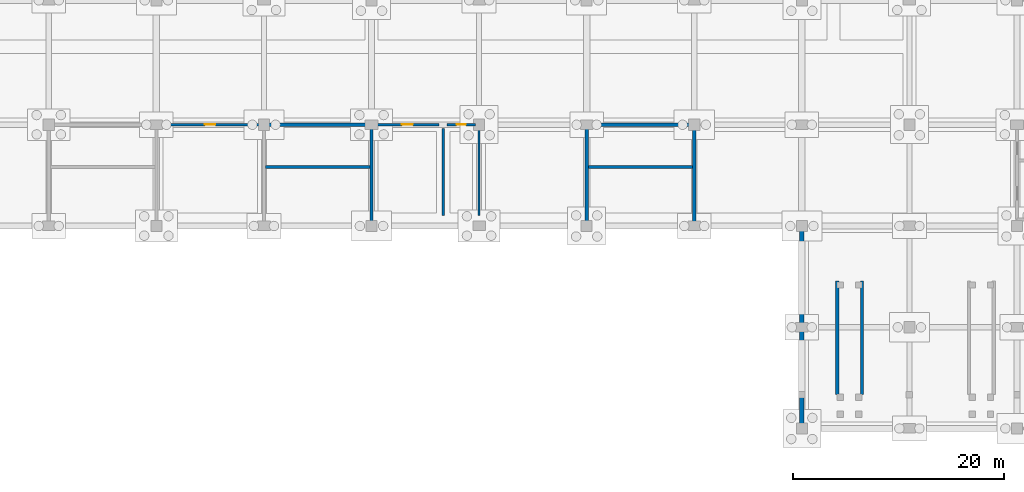
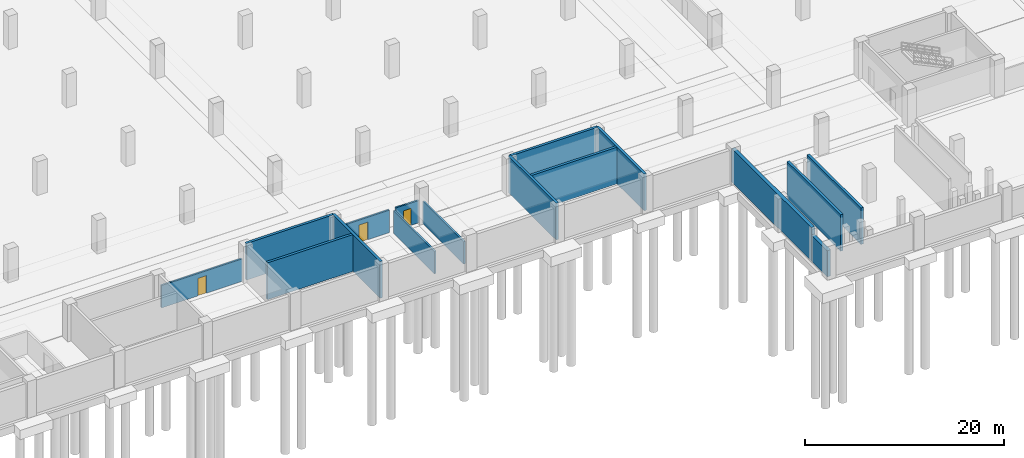
# One storey, part 29 of 52: 16 walls, 3 doors, 3 openings.
"""IFC4 building model written with IfcOpenShell, lengths in metres."""

from ifc_helpers import new_model, si_unit, direction, frame, frame_2d, origin, place, context, subcontext, project, spatial, rectangle, extrude, material, layer, layer_set, type_object, element, fill, save


model = new_model("IFC4")

# Units and contexts
model_context = context("Model", 3, precision=1e-05, world=origin(), true_north=direction((0.0, 1.0)))
body_context = subcontext(model_context, "Body", "Model", "MODEL_VIEW")
ifc_project = project(units=[si_unit("LENGTHUNIT", "METRE"), si_unit("AREAUNIT", "SQUARE_METRE"), si_unit("VOLUMEUNIT", "CUBIC_METRE"), si_unit("PLANEANGLEUNIT", "RADIAN"), si_unit("MASSUNIT", "GRAM", prefix="KILO")], contexts=[model_context])

# Site, building, storey
site_placement = place(None, origin())
site = spatial("IfcSite", under=ifc_project, at=site_placement, CompositionType="ELEMENT")
building_placement = place(site_placement, origin())
building = spatial("IfcBuilding", under=site, at=building_placement, Name="Brelvane Convention Centre", CompositionType="ELEMENT")
storey_placement = place(building_placement, frame((0.0, 0.0, -4.5)))
storey = spatial("IfcBuildingStorey", under=building, at=storey_placement, Name="B1", CompositionType="ELEMENT", Elevation=-4.5)

# Wall, opening, door
ifc_material_1 = material(Name="Fire-Rated Acoustic Gypsum Partition Board Grade A")
ifc_layer_1 = layer(ifc_material_1, 0.199951171875)
ifc_layer_set_1 = layer_set([ifc_layer_1], Name="Fire-Rated Acoustic Gypsum Partition Board Grade A")
wall_type_1 = type_object("IfcWallType", Name="Interior Wall IW-FR-200", PredefinedType="PARTITIONING", material=ifc_layer_set_1)
wall_1_placement = place(storey_placement, frame((41.199951171875, 28.800048828125, 0.0), z_axis=(0.0, 0.0, 1.0), x_axis=(1.0, 0.0, 0.0)))
wall_1 = element("IfcWall", 1, at=wall_1_placement, inside=storey, type_object=wall_type_1, Name="Interior Partition B1-WC-M", PredefinedType="PARTITIONING", context=body_context, shape_type="SweptSolid", body=[
    extrude(rectangle(XDim=9.400146484375, YDim=0.199951171875, at=frame_2d((4.7001953125, 0.0))), origin(), (0.0, 0.0, 1.0), 2.75),
])
opening_1_placement = place(wall_1_placement, frame((4.199951171875, 0.0, 0.0)))
opening_1 = element("IfcOpeningElement", 2, at=opening_1_placement, cuts=wall_1, Name="Opening DR-IN-01L", PredefinedType="OPENING", context=body_context, shape_type="SweptSolid", body=[
    extrude(rectangle(XDim=1.0, YDim=2.14990234375, at=frame_2d((0.5, 1.074951171875))), frame((0.0, 0.10986328125, 0.0), z_axis=(0.0, -1.0, 0.0), x_axis=(1.0, 0.0, 0.0)), (0.0, 0.0, 1.0), 0.219970703125),
])
ifc_material_2 = material(Name="Solid-Core Fire-Rated Hardwood Leaf Grade 1", Category="wood")
door_type_1 = type_object("IfcDoorType", Name="Interior Door DR-IN-01L", OperationType="NOTDEFINED", PredefinedType="DOOR", material=ifc_material_2)
door_1_placement = place(opening_1_placement, origin())
door_1 = element("IfcDoor", 3, at=door_1_placement, inside=storey, type_object=door_type_1, Name="Interior Door B1-WC-M (DR-IN-01L)", OperationType="SINGLE_SWING_LEFT", OverallHeight=2.14990234375, OverallWidth=1.0, PredefinedType="DOOR", context=body_context, shape_type="SweptSolid", body=[
    extrude(rectangle(XDim=1.0, YDim=2.14990234375, at=frame_2d((0.5, 1.074951171875))), frame((0.0, 0.02490234375, 0.0), z_axis=(0.0, -1.0, 0.0), x_axis=(1.0, 0.0, 0.0)), (0.0, 0.0, 1.0), 0.050048828125),
])
fill(opening_1, door_1)

wall_2_placement = place(storey_placement, frame((61.60009765625, 28.800048828125, 0.0), z_axis=(0.0, 0.0, 1.0), x_axis=(1.0, 0.0, 0.0)))
wall_2 = element("IfcWall", 4, at=wall_2_placement, inside=storey, type_object=wall_type_1, Name="Interior Partition B1-WC-F", PredefinedType="PARTITIONING", context=body_context, shape_type="SweptSolid", body=[
    extrude(rectangle(XDim=6.0, YDim=0.199951171875, at=frame_2d((3.0, 0.0))), origin(), (0.0, 0.0, 1.0), 2.75),
])
opening_2_placement = place(wall_2_placement, frame((2.47509765625, 0.0, 0.0)))
opening_2 = element("IfcOpeningElement", 5, at=opening_2_placement, cuts=wall_2, Name="Opening DR-IN-01R", PredefinedType="OPENING", context=body_context, shape_type="SweptSolid", body=[
    extrude(rectangle(XDim=1.050048828125, YDim=2.14990234375, at=frame_2d((0.52490234375, 1.074951171875))), frame((0.0, 0.10986328125, 0.0), z_axis=(0.0, -1.0, 0.0), x_axis=(1.0, 0.0, 0.0)), (0.0, 0.0, 1.0), 0.219970703125),
])
ifc_material_3 = material(Name="Solid-Core Fire-Rated Hardwood Leaf Grade 1", Category="wood")
door_type_2 = type_object("IfcDoorType", Name="Interior Door DR-IN-01R", OperationType="NOTDEFINED", PredefinedType="DOOR", material=ifc_material_3)
door_2_placement = place(opening_2_placement, origin())
door_2 = element("IfcDoor", 6, at=door_2_placement, inside=storey, type_object=door_type_2, Name="Interior Door B1-WC-F (DR-IN-01R)", OperationType="SINGLE_SWING_RIGHT", OverallHeight=2.14990234375, OverallWidth=1.050048828125, PredefinedType="DOOR", context=body_context, shape_type="SweptSolid", body=[
    extrude(rectangle(XDim=1.050048828125, YDim=2.14990234375, at=frame_2d((0.52490234375, 1.074951171875))), frame((0.0, 0.02490234375, 0.0), z_axis=(0.0, -1.0, 0.0), x_axis=(1.0, 0.0, 0.0)), (0.0, 0.0, 1.0), 0.050048828125),
])
fill(opening_2, door_2)

wall_3_placement = place(storey_placement, frame((68.360107421875, 28.800048828125, 0.0), z_axis=(0.0, 0.0, 1.0), x_axis=(1.0, 0.0, 0.0)))
wall_3 = element("IfcWall", 7, at=wall_3_placement, inside=storey, type_object=wall_type_1, Name="Interior Partition B1-WC-ACCB1", PredefinedType="PARTITIONING", context=body_context, shape_type="SweptSolid", body=[
    extrude(rectangle(XDim=2.679931640625, YDim=0.199951171875, at=frame_2d((1.33984375, 0.0))), origin(), (0.0, 0.0, 1.0), 2.75),
])
opening_3_placement = place(wall_3_placement, frame((0.89990234375, 0.0, 0.0)))
opening_3 = element("IfcOpeningElement", 8, at=opening_3_placement, cuts=wall_3, Name="Opening DR-IN-11L", PredefinedType="OPENING", context=body_context, shape_type="SweptSolid", body=[
    extrude(rectangle(XDim=0.8798828125, YDim=2.080078125, at=frame_2d((0.43994140625, 1.0400390625))), frame((0.0, 0.10986328125, 0.0), z_axis=(0.0, -1.0, 0.0), x_axis=(1.0, 0.0, 0.0)), (0.0, 0.0, 1.0), 0.219970703125),
])
ifc_material_4 = material(Name="Solid-Core Fire-Rated Hardwood Leaf Grade 1", Category="wood")
door_type_3 = type_object("IfcDoorType", Name="Interior Door DR-IN-11L", OperationType="NOTDEFINED", PredefinedType="DOOR", material=ifc_material_4)
door_3_placement = place(opening_3_placement, origin())
door_3 = element("IfcDoor", 9, at=door_3_placement, inside=storey, type_object=door_type_3, Name="Interior Door B1-WC-ACCB1 (DR-IN-11L)", OperationType="SINGLE_SWING_LEFT", OverallHeight=2.080078125, OverallWidth=0.8798828125, PredefinedType="DOOR", context=body_context, shape_type="SweptSolid", body=[
    extrude(rectangle(XDim=0.8798828125, YDim=2.080078125, at=frame_2d((0.43994140625, 1.0400390625))), frame((0.0, 0.02490234375, 0.0), z_axis=(0.0, -1.0, 0.0), x_axis=(1.0, 0.0, 0.0)), (0.0, 0.0, 1.0), 0.050048828125),
])
fill(opening_3, door_3)

# Walls
for number, where, z_axis, x_axis, name in (
    (10, (68.0, 20.179931640625, 0.0), (0.0, 0.0, 1.0), (0.0, 1.0, 0.0), "Interior Partition B1-WCDIV-B1A"),
    (11, (71.39990234375, 20.179931640625, 0.0), (0.0, 0.0, 1.0), (0.0, 1.0, 0.0), "Interior Partition B1-WCDIV-B1B"),
):
    element("IfcWall", number, at=place(storey_placement, frame(where, z_axis=z_axis, x_axis=x_axis)), inside=storey, type_object=wall_type_1, Name=name, PredefinedType="PARTITIONING", context=body_context, shape_type="SweptSolid", body=[
        extrude(rectangle(XDim=8.239990234375, YDim=0.199951171875, at=frame_2d((4.1201171875, 0.0))), origin(), (0.0, 0.0, 1.0), 2.75),
    ])
ifc_material_5 = material(Name="Concrete M50", Category="concrete")
ifc_layer_2 = layer(ifc_material_5, 0.300048828125)
ifc_layer_set_2 = layer_set([ifc_layer_2], Name="Concrete M50")
wall_type_2 = type_object("IfcWallType", Name="Structural Wall WL-CORE-300", PredefinedType="SHEAR", material=ifc_layer_set_2)
for number, where, z_axis, x_axis, name in (
    (12, (105.35009765625, 3.199951171875, 0.0), (0.0, 0.0, 1.0), (0.0, 1.0, 0.0), "Plaza Ramp AR-01 Support Wall W"),
    (13, (107.68994140625, 3.199951171875, 0.0), (0.0, 0.0, 1.0), (0.0, 1.0, 0.0), "Plaza Ramp AR-01 Support Wall E"),
):
    element("IfcWall", number, at=place(storey_placement, frame(where, z_axis=z_axis, x_axis=x_axis)), inside=storey, type_object=wall_type_2, Name=name, PredefinedType="SHEAR", context=body_context, shape_type="SweptSolid", body=[
        extrude(rectangle(XDim=10.800048828125, YDim=0.300048828125, at=frame_2d((5.39990234375, 0.0))), origin(), (0.0, 0.0, 1.0), 4.47998046875),
    ])
wall_4_placement = place(storey_placement, frame((51.0, 28.800048828125, 0.0), z_axis=(0.0, 0.0, 1.0), x_axis=(1.0, 0.0, 0.0)))
element("IfcWall", 14, at=wall_4_placement, inside=storey, type_object=wall_type_2, Name="Stair Core ST-09 Wall N (B1)", PredefinedType="SHEAR", context=body_context, shape_type="SweptSolid", body=[
    extrude(rectangle(XDim=10.199951171875, YDim=0.300048828125, at=frame_2d((5.10009765625, 0.0))), origin(), (0.0, 0.0, 1.0), 4.5),
])
wall_5_placement = place(storey_placement, frame((61.199951171875, 19.199951171875, 0.0), z_axis=(0.0, 0.0, 1.0), x_axis=(0.0, 1.0, 0.0)))
element("IfcWall", 15, at=wall_5_placement, inside=storey, type_object=wall_type_2, Name="Stair Core ST-09 Wall E (B1)", PredefinedType="SHEAR", context=body_context, shape_type="SweptSolid", body=[
    extrude(rectangle(XDim=9.60009765625, YDim=0.300048828125, at=frame_2d((4.800048828125, 0.0))), origin(), (0.0, 0.0, 1.0), 4.5),
])
wall_6_placement = place(storey_placement, frame((51.14990234375, 24.800048828125, 0.0), z_axis=(0.0, 0.0, 1.0), x_axis=(1.0, 0.0, 0.0)))
element("IfcWall", 16, at=wall_6_placement, inside=storey, type_object=wall_type_2, Name="Stair Core ST-09 Well Wall (B1)", PredefinedType="SHEAR", context=body_context, shape_type="SweptSolid", body=[
    extrude(rectangle(XDim=9.900146484375, YDim=0.300048828125, at=frame_2d((4.9501953125, 0.0))), origin(), (0.0, 0.0, 1.0), 4.5),
])
wall_7_placement = place(storey_placement, frame((81.60009765625, 28.800048828125, 0.0), z_axis=(0.0, 0.0, 1.0), x_axis=(1.0, 0.0, 0.0)))
element("IfcWall", 17, at=wall_7_placement, inside=storey, type_object=wall_type_2, Name="Stair Core ST-10 Wall N (B1)", PredefinedType="SHEAR", context=body_context, shape_type="SweptSolid", body=[
    extrude(rectangle(XDim=10.199951171875, YDim=0.300048828125, at=frame_2d((5.10009765625, 0.0))), origin(), (0.0, 0.0, 1.0), 4.5),
])
for number, where, z_axis, x_axis, name in (
    (18, (81.60009765625, 19.199951171875, 0.0), (0.0, 0.0, 1.0), (0.0, 1.0, 0.0), "Stair Core ST-10 Wall W (B1)"),
    (19, (91.800048828125, 19.199951171875, 0.0), (0.0, 0.0, 1.0), (0.0, 1.0, 0.0), "Stair Core ST-10 Wall E (B1)"),
):
    element("IfcWall", number, at=place(storey_placement, frame(where, z_axis=z_axis, x_axis=x_axis)), inside=storey, type_object=wall_type_2, Name=name, PredefinedType="SHEAR", context=body_context, shape_type="SweptSolid", body=[
        extrude(rectangle(XDim=9.60009765625, YDim=0.300048828125, at=frame_2d((4.800048828125, 0.0))), origin(), (0.0, 0.0, 1.0), 4.5),
    ])
wall_8_placement = place(storey_placement, frame((81.75, 24.800048828125, 0.0), z_axis=(0.0, 0.0, 1.0), x_axis=(1.0, 0.0, 0.0)))
element("IfcWall", 20, at=wall_8_placement, inside=storey, type_object=wall_type_2, Name="Stair Core ST-10 Well Wall (B1)", PredefinedType="SHEAR", context=body_context, shape_type="SweptSolid", body=[
    extrude(rectangle(XDim=9.89990234375, YDim=0.300048828125, at=frame_2d((4.949951171875, 0.0))), origin(), (0.0, 0.0, 1.0), 4.5),
])
ifc_material_6 = material(Name="Concrete M40", Category="concrete")
ifc_layer_3 = layer(ifc_material_6, 0.39990234375)
ifc_layer_set_3 = layer_set([ifc_layer_3], Name="Concrete M40")
wall_type_3 = type_object("IfcWallType", Name="Structural Wall WL-RET-400", PredefinedType="SOLIDWALL", material=ifc_layer_set_3)
wall_9_placement = place(storey_placement, frame((102.0, 19.199951171875, 0.0), z_axis=(0.0, 0.0, 1.0), x_axis=(0.0, -1.0, 0.0)))
element("IfcWall", 21, at=wall_9_placement, inside=storey, type_object=wall_type_3, Name="Basement Retaining Wall S-STEPW1", PredefinedType="SOLIDWALL", context=body_context, shape_type="SweptSolid", body=[
    extrude(rectangle(XDim=16.0, YDim=0.39990234375, at=frame_2d((8.0, 0.0))), origin(), (0.0, 0.0, 1.0), 4.10009765625),
])
wall_10_placement = place(storey_placement, frame((102.0, 3.199951171875, 0.0), z_axis=(0.0, 0.0, 1.0), x_axis=(0.0, -1.0, 0.0)))
element("IfcWall", 22, at=wall_10_placement, inside=storey, type_object=wall_type_3, Name="Basement Retaining Wall S-STEPW2", PredefinedType="SOLIDWALL", context=body_context, shape_type="SweptSolid", body=[
    extrude(rectangle(XDim=3.199951171875, YDim=0.39990234375, at=frame_2d((1.60009765625, 0.0))), origin(), (0.0, 0.0, 1.0), 3.199951171875),
])

save(model, "model.ifc")
